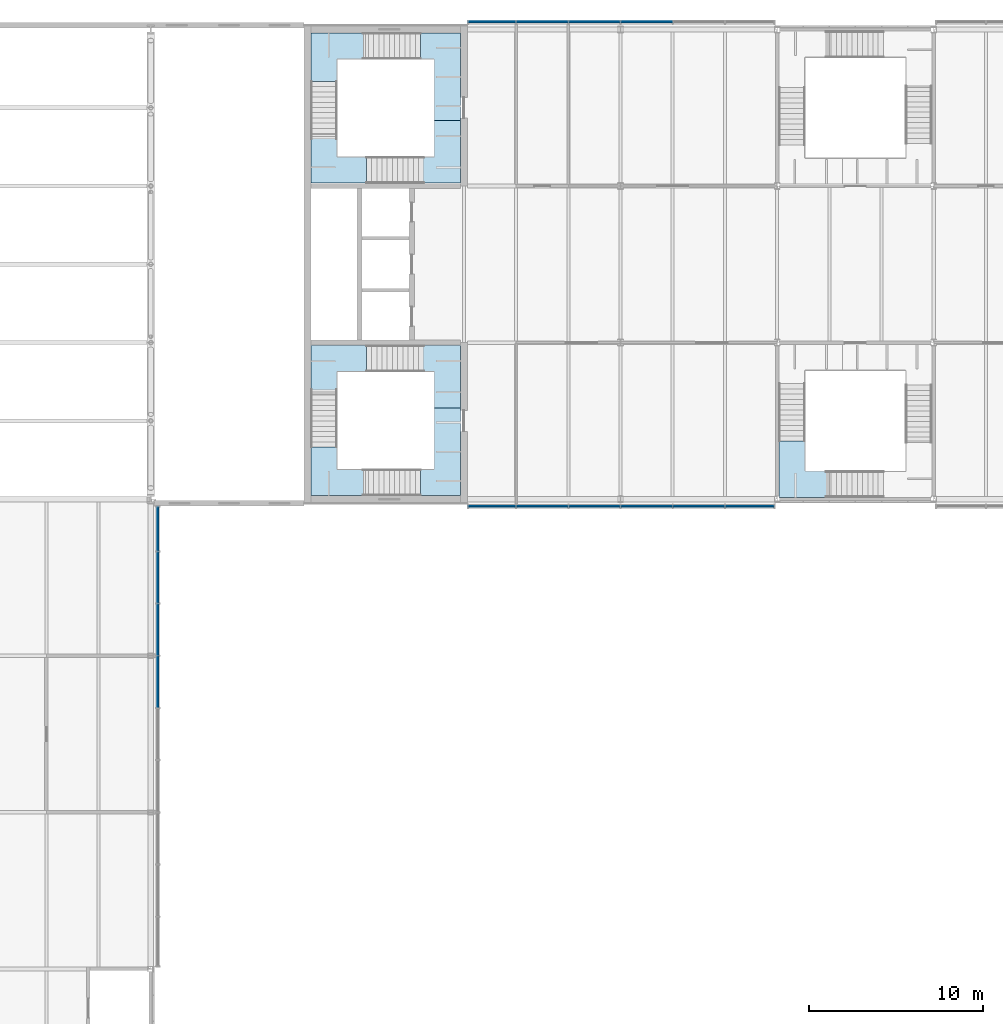
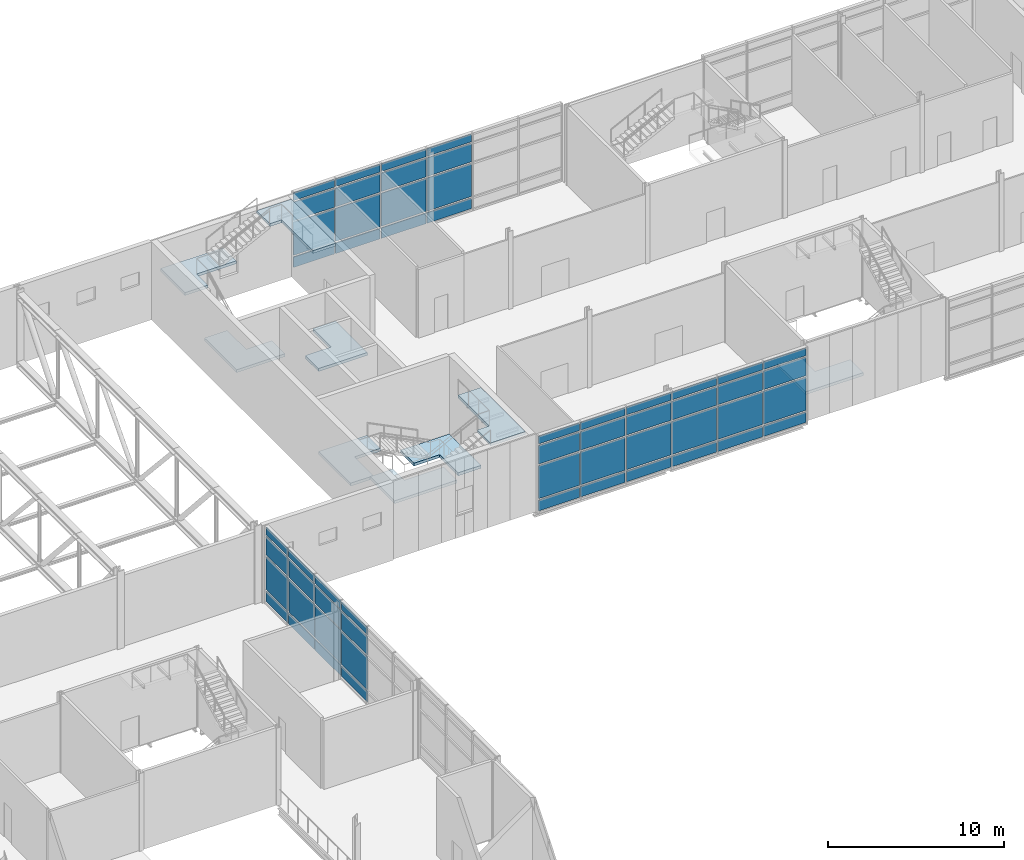
# One storey, part 33 of 53: 56 plates, 9 slabs, 6 elements without a shape of their own.
"""IFC4 building model written with IfcOpenShell, lengths in metres."""

from ifc_helpers import new_model, si_unit, direction, frame, origin, origin_2d, place, context, subcontext, project, spatial, polyline, rectangle, outline, extrude, material, layer, layer_set, type_object, element, aggregate, save


model = new_model("IFC4")

# Units and contexts
model_context = context("Model", 3, precision=1e-05, world=origin(), true_north=direction((0.0, 1.0)))
body_context = subcontext(model_context, "Body", "Model", "MODEL_VIEW")
ifc_project = project(units=[si_unit("LENGTHUNIT", "METRE"), si_unit("AREAUNIT", "SQUARE_METRE"), si_unit("VOLUMEUNIT", "CUBIC_METRE"), si_unit("PLANEANGLEUNIT", "RADIAN"), si_unit("MASSUNIT", "GRAM", prefix="KILO")], contexts=[model_context])

# Site, building, storey
site_placement = place(None, origin())
site = spatial("IfcSite", under=ifc_project, at=site_placement, CompositionType="ELEMENT")
building_placement = place(site_placement, origin())
building = spatial("IfcBuilding", under=site, at=building_placement, Name="Azimuth Sports and Learning Centre", CompositionType="ELEMENT")
storey_placement = place(building_placement, frame((0.0, 0.0, 10.800048828125)))
storey = spatial("IfcBuildingStorey", under=building, at=storey_placement, Name="L02", CompositionType="ELEMENT", Elevation=10.800048828125)

# Stair, slabs
ifc_material_1 = material(Name="Concrete C32/40", Category="concrete")
stair_type_1 = type_object("IfcStairType", Name="Square-well stair core 5400 storey", PredefinedType="THREE_QUARTER_TURN_STAIR", material=ifc_material_1)
stair_1_placement = place(storey_placement, origin())
stair_1 = element("IfcStair", 1, at=stair_1_placement, inside=storey, type_object=stair_type_1, Name="Stair E1 L02-L03", PredefinedType="THREE_QUARTER_TURN_STAIR")
ifc_material_2 = material(Name="Concrete C32/40", Category="concrete")
ifc_layer_1 = layer(ifc_material_2, 0.199951171875)
ifc_layer_set_1 = layer_set([ifc_layer_1], Name="Concrete C32/40")
slab_type = type_object("IfcSlabType", Name="Concrete stair landing", PredefinedType="LANDING", material=ifc_layer_set_1)
slab_1_placement = place(storey_placement, frame((0.0, 0.0, -0.199951171875)))
slab_1 = element("IfcSlab", 2, at=slab_1_placement, type_object=slab_type, Name="Stair E1 L02 landing 1", PredefinedType="LANDING", context=body_context, shape_type="SweptSolid", body=[
    extrude(outline(polyline([(113.590087890625, 97.340087890625), (115.2900390625, 97.340087890625), (115.2900390625, 95.25), (116.7900390625, 95.25), (116.7900390625, 98.840087890625), (113.590087890625, 98.840087890625), (113.590087890625, 97.340087890625)])), origin(), (0.0, 0.0, 1.0), 0.199951171875),
])
slab_2_placement = place(storey_placement, frame((0.0, 0.0, 1.599853515625)))
slab_2 = element("IfcSlab", 3, at=slab_2_placement, type_object=slab_type, Name="Stair E1 L02 landing 2", PredefinedType="LANDING", context=body_context, shape_type="SweptSolid", body=[
    extrude(outline(polyline([(109.7099609375, 97.340087890625), (111.390625, 97.340087890625), (111.390625, 98.840087890625), (108.2099609375, 98.840087890625), (108.2099609375, 95.18994140625), (109.7099609375, 95.18994140625), (109.7099609375, 97.340087890625)])), origin(), (0.0, 0.0, 1.0), 0.2001953125),
])
slab_3_placement = place(storey_placement, frame((0.0, 0.0, 3.39990234375)))
slab_3 = element("IfcSlab", 4, at=slab_3_placement, type_object=slab_type, Name="Stair E1 L02 landing 3", PredefinedType="LANDING", context=body_context, shape_type="SweptSolid", body=[
    extrude(outline(polyline([(109.7099609375, 91.7099609375), (109.7099609375, 92.99072265625), (108.2099609375, 92.99072265625), (108.2099609375, 90.2099609375), (112.31005859375, 90.2099609375), (112.31005859375, 91.7099609375), (109.7099609375, 91.7099609375)])), origin(), (0.0, 0.0, 1.0), 0.199951171875),
])
slab_4_placement = place(storey_placement, frame((0.0, 0.0, 5.199951171875)))
slab_4 = element("IfcSlab", 5, at=slab_4_placement, type_object=slab_type, Name="Stair E1 L02 landing 4", PredefinedType="LANDING", context=body_context, shape_type="SweptSolid", body=[
    extrude(outline(polyline([(115.2900390625, 91.7099609375), (114.50927734375, 91.7099609375), (114.50927734375, 90.2099609375), (116.7900390625, 90.2099609375), (116.7900390625, 95.25), (115.2900390625, 95.25), (115.2900390625, 91.7099609375)])), origin(), (0.0, 0.0, 1.0), 0.199951171875),
])
aggregate(stair_1, [slab_1, slab_2, slab_3, slab_4])

stair_2_placement = place(storey_placement, origin())
stair_2 = element("IfcStair", 6, at=stair_2_placement, inside=storey, type_object=stair_type_1, Name="Stair E2 L02-L03", PredefinedType="THREE_QUARTER_TURN_STAIR")
slab_5_placement = place(storey_placement, frame((0.0, 0.0, -0.199951171875)))
slab_5 = element("IfcSlab", 7, at=slab_5_placement, type_object=slab_type, Name="Stair E2 L02 landing 1", PredefinedType="LANDING", context=body_context, shape_type="SweptSolid", body=[
    extrude(outline(polyline([(116.7900390625, 108.159912109375), (116.7900390625, 111.75), (115.2900390625, 111.75), (115.2900390625, 109.659912109375), (113.590087890625, 109.659912109375), (113.590087890625, 108.159912109375), (116.7900390625, 108.159912109375)])), origin(), (0.0, 0.0, 1.0), 0.199951171875),
])
slab_6_placement = place(storey_placement, frame((0.0, 0.0, 1.599853515625)))
slab_6 = element("IfcSlab", 8, at=slab_6_placement, type_object=slab_type, Name="Stair E2 L02 landing 2", PredefinedType="LANDING", context=body_context, shape_type="SweptSolid", body=[
    extrude(outline(polyline([(109.7099609375, 109.659912109375), (109.7099609375, 111.81005859375), (108.2099609375, 111.81005859375), (108.2099609375, 108.159912109375), (111.390625, 108.159912109375), (111.390625, 109.659912109375), (109.7099609375, 109.659912109375)])), origin(), (0.0, 0.0, 1.0), 0.2001953125),
])
slab_7_placement = place(storey_placement, frame((0.0, 0.0, 3.39990234375)))
slab_7 = element("IfcSlab", 9, at=slab_7_placement, type_object=slab_type, Name="Stair E2 L02 landing 3", PredefinedType="LANDING", context=body_context, shape_type="SweptSolid", body=[
    extrude(outline(polyline([(109.7099609375, 115.2900390625), (112.31005859375, 115.2900390625), (112.31005859375, 116.7900390625), (108.2099609375, 116.7900390625), (108.2099609375, 114.00927734375), (109.7099609375, 114.00927734375), (109.7099609375, 115.2900390625)])), origin(), (0.0, 0.0, 1.0), 0.199951171875),
])
slab_8_placement = place(storey_placement, frame((0.0, 0.0, 5.199951171875)))
slab_8 = element("IfcSlab", 10, at=slab_8_placement, type_object=slab_type, Name="Stair E2 L02 landing 4", PredefinedType="LANDING", context=body_context, shape_type="SweptSolid", body=[
    extrude(outline(polyline([(115.2900390625, 115.2900390625), (115.2900390625, 111.75), (116.7900390625, 111.75), (116.7900390625, 116.7900390625), (114.50927734375, 116.7900390625), (114.50927734375, 115.2900390625), (115.2900390625, 115.2900390625)])), origin(), (0.0, 0.0, 1.0), 0.199951171875),
])
aggregate(stair_2, [slab_5, slab_6, slab_7, slab_8])

# Stair, slab
ifc_material_3 = material(Name="Concrete C32/40", Category="concrete")
stair_type_2 = type_object("IfcStairType", Name="Square-well stair mid-wing cell 5400 storey", PredefinedType="THREE_QUARTER_TURN_STAIR", material=ifc_material_3)
stair_3_placement = place(storey_placement, origin())
stair_3 = element("IfcStair", 11, at=stair_3_placement, inside=storey, type_object=stair_type_2, Name="Stair EM1 L02-L03", PredefinedType="THREE_QUARTER_TURN_STAIR")
slab_9_placement = place(storey_placement, frame((0.0, 0.0, 1.599853515625)))
slab_9 = element("IfcSlab", 12, at=slab_9_placement, type_object=slab_type, Name="Stair EM1 L02 landing 2", PredefinedType="LANDING", context=body_context, shape_type="SweptSolid", body=[
    extrude(outline(polyline([(136.610107421875, 91.610107421875), (136.610107421875, 93.3408203125), (135.110107421875, 93.3408203125), (135.110107421875, 90.110107421875), (138.909912109375, 90.110107421875), (138.909912109375, 91.610107421875), (136.610107421875, 91.610107421875)])), origin(), (0.0, 0.0, 1.0), 0.2001953125),
])
aggregate(stair_3, [slab_9])

# Curtain wall, plates
ifc_material_4 = material(Name="Aluminium and glass", Category="aluminium")
curtain_wall_type_1 = type_object("IfcCurtainWallType", Name="Curtain wall podium stem 240", PredefinedType="NOTDEFINED", material=ifc_material_4)
curtain_wall_1_placement = place(storey_placement, origin())
curtain_wall_1 = element("IfcCurtainWall", 13, at=curtain_wall_1_placement, inside=storey, type_object=curtain_wall_type_1, Name="Curtain wall CW02-008", PredefinedType="NOTDEFINED")
ifc_material_5 = material(Name="Insulated aluminium panel", Category="aluminium")
ifc_layer_2 = layer(ifc_material_5, 0.06005859375)
ifc_layer_set_2 = layer_set([ifc_layer_2], Name="Insulated aluminium panel")
plate_type_1 = type_object("IfcPlateType", Name="Spandrel panel 60 mm", PredefinedType="CURTAIN_PANEL", material=ifc_layer_set_2)
plate_1_placement = place(storey_placement, frame((99.419921875, 79.5, 0.1201171875), z_axis=(0.0, 0.0, 1.0), x_axis=(0.0, 1.0, 0.0)))
plate_1 = element("IfcPlate", 14, at=plate_1_placement, type_object=plate_type_1, Name="CW02-008 panel 6.1", PredefinedType="CURTAIN_PANEL", context=body_context, shape_type="SweptSolid", body=[
    extrude(rectangle(XDim=2.919921875, YDim=0.06005859375, at=origin_2d()), origin(), (0.0, 0.0, 1.0), 0.719970703125),
])
plate_2_placement = place(storey_placement, frame((99.419921875, 79.5, 4.760009765625), z_axis=(0.0, 0.0, 1.0), x_axis=(0.0, 1.0, 0.0)))
plate_2 = element("IfcPlate", 15, at=plate_2_placement, type_object=plate_type_1, Name="CW02-008 panel 6.4", PredefinedType="CURTAIN_PANEL", context=body_context, shape_type="SweptSolid", body=[
    extrude(rectangle(XDim=2.919921875, YDim=0.06005859375, at=origin_2d()), origin(), (0.0, 0.0, 1.0), 0.52001953125),
])
plate_3_placement = place(storey_placement, frame((99.419921875, 82.5, 0.1201171875), z_axis=(0.0, 0.0, 1.0), x_axis=(0.0, 1.0, 0.0)))
plate_3 = element("IfcPlate", 16, at=plate_3_placement, type_object=plate_type_1, Name="CW02-008 panel 7.1", PredefinedType="CURTAIN_PANEL", context=body_context, shape_type="SweptSolid", body=[
    extrude(rectangle(XDim=2.919921875, YDim=0.06005859375, at=origin_2d()), origin(), (0.0, 0.0, 1.0), 0.719970703125),
])
plate_4_placement = place(storey_placement, frame((99.419921875, 82.5, 4.760009765625), z_axis=(0.0, 0.0, 1.0), x_axis=(0.0, 1.0, 0.0)))
plate_4 = element("IfcPlate", 17, at=plate_4_placement, type_object=plate_type_1, Name="CW02-008 panel 7.4", PredefinedType="CURTAIN_PANEL", context=body_context, shape_type="SweptSolid", body=[
    extrude(rectangle(XDim=2.919921875, YDim=0.06005859375, at=origin_2d()), origin(), (0.0, 0.0, 1.0), 0.52001953125),
])
plate_5_placement = place(storey_placement, frame((99.419921875, 85.5, 0.1201171875), z_axis=(0.0, 0.0, 1.0), x_axis=(0.0, 1.0, 0.0)))
plate_5 = element("IfcPlate", 18, at=plate_5_placement, type_object=plate_type_1, Name="CW02-008 panel 8.1", PredefinedType="CURTAIN_PANEL", context=body_context, shape_type="SweptSolid", body=[
    extrude(rectangle(XDim=2.919921875, YDim=0.06005859375, at=origin_2d()), origin(), (0.0, 0.0, 1.0), 0.719970703125),
])
plate_6_placement = place(storey_placement, frame((99.419921875, 85.5, 4.760009765625), z_axis=(0.0, 0.0, 1.0), x_axis=(0.0, 1.0, 0.0)))
plate_6 = element("IfcPlate", 19, at=plate_6_placement, type_object=plate_type_1, Name="CW02-008 panel 8.4", PredefinedType="CURTAIN_PANEL", context=body_context, shape_type="SweptSolid", body=[
    extrude(rectangle(XDim=2.919921875, YDim=0.06005859375, at=origin_2d()), origin(), (0.0, 0.0, 1.0), 0.52001953125),
])
plate_7_placement = place(storey_placement, frame((99.419921875, 88.284912109375, 0.1201171875), z_axis=(0.0, 0.0, 1.0), x_axis=(0.0, 1.0, 0.0)))
plate_7 = element("IfcPlate", 20, at=plate_7_placement, type_object=plate_type_1, Name="CW02-008 panel 9.1", PredefinedType="CURTAIN_PANEL", context=body_context, shape_type="SweptSolid", body=[
    extrude(rectangle(XDim=2.489990234375, YDim=0.06005859375, at=origin_2d()), origin(), (0.0, 0.0, 1.0), 0.719970703125),
])
plate_8_placement = place(storey_placement, frame((99.419921875, 88.284912109375, 4.760009765625), z_axis=(0.0, 0.0, 1.0), x_axis=(0.0, 1.0, 0.0)))
plate_8 = element("IfcPlate", 21, at=plate_8_placement, type_object=plate_type_1, Name="CW02-008 panel 9.4", PredefinedType="CURTAIN_PANEL", context=body_context, shape_type="SweptSolid", body=[
    extrude(rectangle(XDim=2.489990234375, YDim=0.06005859375, at=origin_2d()), origin(), (0.0, 0.0, 1.0), 0.52001953125),
])

ifc_material_6 = material(Name="Aluminium and glass", Category="aluminium")
curtain_wall_type_2 = type_object("IfcCurtainWallType", Name="Curtain wall podium wing 240", PredefinedType="NOTDEFINED", material=ifc_material_6)
curtain_wall_2_placement = place(storey_placement, origin())
curtain_wall_2 = element("IfcCurtainWall", 22, at=curtain_wall_2_placement, inside=storey, type_object=curtain_wall_type_2, Name="Curtain wall CW02-009", PredefinedType="NOTDEFINED")
plate_9_placement = place(storey_placement, frame((118.6201171875, 89.580078125, 0.1201171875), z_axis=(0.0, 0.0, 1.0), x_axis=(1.0, 0.0, 0.0)))
plate_9 = element("IfcPlate", 23, at=plate_9_placement, type_object=plate_type_1, Name="CW02-009 panel 1.1", PredefinedType="CURTAIN_PANEL", context=body_context, shape_type="SweptSolid", body=[
    extrude(rectangle(XDim=2.679931640625, YDim=0.06005859375, at=origin_2d()), origin(), (0.0, 0.0, 1.0), 0.719970703125),
])
plate_10_placement = place(storey_placement, frame((118.6201171875, 89.580078125, 4.760009765625), z_axis=(0.0, 0.0, 1.0), x_axis=(1.0, 0.0, 0.0)))
plate_10 = element("IfcPlate", 24, at=plate_10_placement, type_object=plate_type_1, Name="CW02-009 panel 1.4", PredefinedType="CURTAIN_PANEL", context=body_context, shape_type="SweptSolid", body=[
    extrude(rectangle(XDim=2.679931640625, YDim=0.06005859375, at=origin_2d()), origin(), (0.0, 0.0, 1.0), 0.52001953125),
])
plate_11_placement = place(storey_placement, frame((121.5, 89.580078125, 0.1201171875), z_axis=(0.0, 0.0, 1.0), x_axis=(1.0, 0.0, 0.0)))
plate_11 = element("IfcPlate", 25, at=plate_11_placement, type_object=plate_type_1, Name="CW02-009 panel 2.1", PredefinedType="CURTAIN_PANEL", context=body_context, shape_type="SweptSolid", body=[
    extrude(rectangle(XDim=2.919921875, YDim=0.06005859375, at=origin_2d()), origin(), (0.0, 0.0, 1.0), 0.719970703125),
])
plate_12_placement = place(storey_placement, frame((121.5, 89.580078125, 4.760009765625), z_axis=(0.0, 0.0, 1.0), x_axis=(1.0, 0.0, 0.0)))
plate_12 = element("IfcPlate", 26, at=plate_12_placement, type_object=plate_type_1, Name="CW02-009 panel 2.4", PredefinedType="CURTAIN_PANEL", context=body_context, shape_type="SweptSolid", body=[
    extrude(rectangle(XDim=2.919921875, YDim=0.06005859375, at=origin_2d()), origin(), (0.0, 0.0, 1.0), 0.52001953125),
])
plate_13_placement = place(storey_placement, frame((124.5, 89.580078125, 0.1201171875), z_axis=(0.0, 0.0, 1.0), x_axis=(1.0, 0.0, 0.0)))
plate_13 = element("IfcPlate", 27, at=plate_13_placement, type_object=plate_type_1, Name="CW02-009 panel 3.1", PredefinedType="CURTAIN_PANEL", context=body_context, shape_type="SweptSolid", body=[
    extrude(rectangle(XDim=2.919921875, YDim=0.06005859375, at=origin_2d()), origin(), (0.0, 0.0, 1.0), 0.719970703125),
])
plate_14_placement = place(storey_placement, frame((124.5, 89.580078125, 4.760009765625), z_axis=(0.0, 0.0, 1.0), x_axis=(1.0, 0.0, 0.0)))
plate_14 = element("IfcPlate", 28, at=plate_14_placement, type_object=plate_type_1, Name="CW02-009 panel 3.4", PredefinedType="CURTAIN_PANEL", context=body_context, shape_type="SweptSolid", body=[
    extrude(rectangle(XDim=2.919921875, YDim=0.06005859375, at=origin_2d()), origin(), (0.0, 0.0, 1.0), 0.52001953125),
])
plate_15_placement = place(storey_placement, frame((127.5, 89.580078125, 0.1201171875), z_axis=(0.0, 0.0, 1.0), x_axis=(1.0, 0.0, 0.0)))
plate_15 = element("IfcPlate", 29, at=plate_15_placement, type_object=plate_type_1, Name="CW02-009 panel 4.1", PredefinedType="CURTAIN_PANEL", context=body_context, shape_type="SweptSolid", body=[
    extrude(rectangle(XDim=2.919921875, YDim=0.06005859375, at=origin_2d()), origin(), (0.0, 0.0, 1.0), 0.719970703125),
])
plate_16_placement = place(storey_placement, frame((127.5, 89.580078125, 4.760009765625), z_axis=(0.0, 0.0, 1.0), x_axis=(1.0, 0.0, 0.0)))
plate_16 = element("IfcPlate", 30, at=plate_16_placement, type_object=plate_type_1, Name="CW02-009 panel 4.4", PredefinedType="CURTAIN_PANEL", context=body_context, shape_type="SweptSolid", body=[
    extrude(rectangle(XDim=2.919921875, YDim=0.06005859375, at=origin_2d()), origin(), (0.0, 0.0, 1.0), 0.52001953125),
])
plate_17_placement = place(storey_placement, frame((130.5, 89.580078125, 0.1201171875), z_axis=(0.0, 0.0, 1.0), x_axis=(1.0, 0.0, 0.0)))
plate_17 = element("IfcPlate", 31, at=plate_17_placement, type_object=plate_type_1, Name="CW02-009 panel 5.1", PredefinedType="CURTAIN_PANEL", context=body_context, shape_type="SweptSolid", body=[
    extrude(rectangle(XDim=2.919921875, YDim=0.06005859375, at=origin_2d()), origin(), (0.0, 0.0, 1.0), 0.719970703125),
])
plate_18_placement = place(storey_placement, frame((130.5, 89.580078125, 4.760009765625), z_axis=(0.0, 0.0, 1.0), x_axis=(1.0, 0.0, 0.0)))
plate_18 = element("IfcPlate", 32, at=plate_18_placement, type_object=plate_type_1, Name="CW02-009 panel 5.4", PredefinedType="CURTAIN_PANEL", context=body_context, shape_type="SweptSolid", body=[
    extrude(rectangle(XDim=2.919921875, YDim=0.06005859375, at=origin_2d()), origin(), (0.0, 0.0, 1.0), 0.52001953125),
])
plate_19_placement = place(storey_placement, frame((133.429931640625, 89.580078125, 0.1201171875), z_axis=(0.0, 0.0, 1.0), x_axis=(1.0, 0.0, 0.0)))
plate_19 = element("IfcPlate", 33, at=plate_19_placement, type_object=plate_type_1, Name="CW02-009 panel 6.1", PredefinedType="CURTAIN_PANEL", context=body_context, shape_type="SweptSolid", body=[
    extrude(rectangle(XDim=2.780029296875, YDim=0.06005859375, at=origin_2d()), origin(), (0.0, 0.0, 1.0), 0.719970703125),
])
plate_20_placement = place(storey_placement, frame((133.429931640625, 89.580078125, 4.760009765625), z_axis=(0.0, 0.0, 1.0), x_axis=(1.0, 0.0, 0.0)))
plate_20 = element("IfcPlate", 34, at=plate_20_placement, type_object=plate_type_1, Name="CW02-009 panel 6.4", PredefinedType="CURTAIN_PANEL", context=body_context, shape_type="SweptSolid", body=[
    extrude(rectangle(XDim=2.780029296875, YDim=0.06005859375, at=origin_2d()), origin(), (0.0, 0.0, 1.0), 0.52001953125),
])

curtain_wall_3_placement = place(storey_placement, origin())
curtain_wall_3 = element("IfcCurtainWall", 35, at=curtain_wall_3_placement, inside=storey, type_object=curtain_wall_type_2, Name="Curtain wall CW02-012", PredefinedType="NOTDEFINED")
plate_21_placement = place(storey_placement, frame((127.5, 117.419921875, 0.1201171875), z_axis=(0.0, 0.0, 1.0), x_axis=(-1.0, 0.0, 0.0)))
plate_21 = element("IfcPlate", 36, at=plate_21_placement, type_object=plate_type_1, Name="CW02-012 panel 3.1", PredefinedType="CURTAIN_PANEL", context=body_context, shape_type="SweptSolid", body=[
    extrude(rectangle(XDim=2.919921875, YDim=0.06005859375, at=origin_2d()), origin(), (0.0, 0.0, 1.0), 0.719970703125),
])
plate_22_placement = place(storey_placement, frame((127.5, 117.419921875, 4.760009765625), z_axis=(0.0, 0.0, 1.0), x_axis=(-1.0, 0.0, 0.0)))
plate_22 = element("IfcPlate", 37, at=plate_22_placement, type_object=plate_type_1, Name="CW02-012 panel 3.4", PredefinedType="CURTAIN_PANEL", context=body_context, shape_type="SweptSolid", body=[
    extrude(rectangle(XDim=2.919921875, YDim=0.06005859375, at=origin_2d()), origin(), (0.0, 0.0, 1.0), 0.52001953125),
])
plate_23_placement = place(storey_placement, frame((124.5, 117.419921875, 0.1201171875), z_axis=(0.0, 0.0, 1.0), x_axis=(-1.0, 0.0, 0.0)))
plate_23 = element("IfcPlate", 38, at=plate_23_placement, type_object=plate_type_1, Name="CW02-012 panel 4.1", PredefinedType="CURTAIN_PANEL", context=body_context, shape_type="SweptSolid", body=[
    extrude(rectangle(XDim=2.919921875, YDim=0.06005859375, at=origin_2d()), origin(), (0.0, 0.0, 1.0), 0.719970703125),
])
plate_24_placement = place(storey_placement, frame((124.5, 117.419921875, 4.760009765625), z_axis=(0.0, 0.0, 1.0), x_axis=(-1.0, 0.0, 0.0)))
plate_24 = element("IfcPlate", 39, at=plate_24_placement, type_object=plate_type_1, Name="CW02-012 panel 4.4", PredefinedType="CURTAIN_PANEL", context=body_context, shape_type="SweptSolid", body=[
    extrude(rectangle(XDim=2.919921875, YDim=0.06005859375, at=origin_2d()), origin(), (0.0, 0.0, 1.0), 0.52001953125),
])
plate_25_placement = place(storey_placement, frame((121.5, 117.419921875, 0.1201171875), z_axis=(0.0, 0.0, 1.0), x_axis=(-1.0, 0.0, 0.0)))
plate_25 = element("IfcPlate", 40, at=plate_25_placement, type_object=plate_type_1, Name="CW02-012 panel 5.1", PredefinedType="CURTAIN_PANEL", context=body_context, shape_type="SweptSolid", body=[
    extrude(rectangle(XDim=2.919921875, YDim=0.06005859375, at=origin_2d()), origin(), (0.0, 0.0, 1.0), 0.719970703125),
])
plate_26_placement = place(storey_placement, frame((121.5, 117.419921875, 4.760009765625), z_axis=(0.0, 0.0, 1.0), x_axis=(-1.0, 0.0, 0.0)))
plate_26 = element("IfcPlate", 41, at=plate_26_placement, type_object=plate_type_1, Name="CW02-012 panel 5.4", PredefinedType="CURTAIN_PANEL", context=body_context, shape_type="SweptSolid", body=[
    extrude(rectangle(XDim=2.919921875, YDim=0.06005859375, at=origin_2d()), origin(), (0.0, 0.0, 1.0), 0.52001953125),
])
plate_27_placement = place(storey_placement, frame((118.6201171875, 117.419921875, 0.1201171875), z_axis=(0.0, 0.0, 1.0), x_axis=(-1.0, 0.0, 0.0)))
plate_27 = element("IfcPlate", 42, at=plate_27_placement, type_object=plate_type_1, Name="CW02-012 panel 6.1", PredefinedType="CURTAIN_PANEL", context=body_context, shape_type="SweptSolid", body=[
    extrude(rectangle(XDim=2.679931640625, YDim=0.06005859375, at=origin_2d()), origin(), (0.0, 0.0, 1.0), 0.719970703125),
])
plate_28_placement = place(storey_placement, frame((118.6201171875, 117.419921875, 4.760009765625), z_axis=(0.0, 0.0, 1.0), x_axis=(-1.0, 0.0, 0.0)))
plate_28 = element("IfcPlate", 43, at=plate_28_placement, type_object=plate_type_1, Name="CW02-012 panel 6.4", PredefinedType="CURTAIN_PANEL", context=body_context, shape_type="SweptSolid", body=[
    extrude(rectangle(XDim=2.679931640625, YDim=0.06005859375, at=origin_2d()), origin(), (0.0, 0.0, 1.0), 0.52001953125),
])

# Plate
ifc_material_7 = material(Name="Glass", Category="glass")
ifc_layer_3 = layer(ifc_material_7, 0.0439453125)
ifc_layer_set_3 = layer_set([ifc_layer_3], Name="Glass")
plate_type_2 = type_object("IfcPlateType", Name="Vision glass 44 mm", PredefinedType="CURTAIN_PANEL", material=ifc_layer_set_3)
plate_29_placement = place(storey_placement, frame((99.419921875, 79.5, 0.9599609375), z_axis=(0.0, 0.0, 1.0), x_axis=(0.0, 1.0, 0.0)))
plate_29 = element("IfcPlate", 44, at=plate_29_placement, type_object=plate_type_2, Name="CW02-008 panel 6.2", PredefinedType="CURTAIN_PANEL", context=body_context, shape_type="SweptSolid", body=[
    extrude(rectangle(XDim=2.919921875, YDim=0.0439453125, at=origin_2d()), origin(), (0.0, 0.0, 1.0), 2.280029296875),
])

plate_30_placement = place(storey_placement, frame((99.419921875, 79.5, 3.35986328125), z_axis=(0.0, 0.0, 1.0), x_axis=(0.0, 1.0, 0.0)))
plate_30 = element("IfcPlate", 45, at=plate_30_placement, type_object=plate_type_2, Name="CW02-008 panel 6.3", PredefinedType="CURTAIN_PANEL", context=body_context, shape_type="SweptSolid", body=[
    extrude(rectangle(XDim=2.919921875, YDim=0.0439453125, at=origin_2d()), origin(), (0.0, 0.0, 1.0), 1.280029296875),
])

plate_31_placement = place(storey_placement, frame((99.419921875, 82.5, 0.9599609375), z_axis=(0.0, 0.0, 1.0), x_axis=(0.0, 1.0, 0.0)))
plate_31 = element("IfcPlate", 46, at=plate_31_placement, type_object=plate_type_2, Name="CW02-008 panel 7.2", PredefinedType="CURTAIN_PANEL", context=body_context, shape_type="SweptSolid", body=[
    extrude(rectangle(XDim=2.919921875, YDim=0.0439453125, at=origin_2d()), origin(), (0.0, 0.0, 1.0), 2.280029296875),
])

plate_32_placement = place(storey_placement, frame((99.419921875, 82.5, 3.35986328125), z_axis=(0.0, 0.0, 1.0), x_axis=(0.0, 1.0, 0.0)))
plate_32 = element("IfcPlate", 47, at=plate_32_placement, type_object=plate_type_2, Name="CW02-008 panel 7.3", PredefinedType="CURTAIN_PANEL", context=body_context, shape_type="SweptSolid", body=[
    extrude(rectangle(XDim=2.919921875, YDim=0.0439453125, at=origin_2d()), origin(), (0.0, 0.0, 1.0), 1.280029296875),
])

plate_33_placement = place(storey_placement, frame((99.419921875, 85.5, 0.9599609375), z_axis=(0.0, 0.0, 1.0), x_axis=(0.0, 1.0, 0.0)))
plate_33 = element("IfcPlate", 48, at=plate_33_placement, type_object=plate_type_2, Name="CW02-008 panel 8.2", PredefinedType="CURTAIN_PANEL", context=body_context, shape_type="SweptSolid", body=[
    extrude(rectangle(XDim=2.919921875, YDim=0.0439453125, at=origin_2d()), origin(), (0.0, 0.0, 1.0), 2.280029296875),
])

plate_34_placement = place(storey_placement, frame((99.419921875, 85.5, 3.35986328125), z_axis=(0.0, 0.0, 1.0), x_axis=(0.0, 1.0, 0.0)))
plate_34 = element("IfcPlate", 49, at=plate_34_placement, type_object=plate_type_2, Name="CW02-008 panel 8.3", PredefinedType="CURTAIN_PANEL", context=body_context, shape_type="SweptSolid", body=[
    extrude(rectangle(XDim=2.919921875, YDim=0.0439453125, at=origin_2d()), origin(), (0.0, 0.0, 1.0), 1.280029296875),
])

plate_35_placement = place(storey_placement, frame((99.419921875, 88.284912109375, 0.9599609375), z_axis=(0.0, 0.0, 1.0), x_axis=(0.0, 1.0, 0.0)))
plate_35 = element("IfcPlate", 50, at=plate_35_placement, type_object=plate_type_2, Name="CW02-008 panel 9.2", PredefinedType="CURTAIN_PANEL", context=body_context, shape_type="SweptSolid", body=[
    extrude(rectangle(XDim=2.489990234375, YDim=0.0439453125, at=origin_2d()), origin(), (0.0, 0.0, 1.0), 2.280029296875),
])

plate_36_placement = place(storey_placement, frame((99.419921875, 88.284912109375, 3.35986328125), z_axis=(0.0, 0.0, 1.0), x_axis=(0.0, 1.0, 0.0)))
plate_36 = element("IfcPlate", 51, at=plate_36_placement, type_object=plate_type_2, Name="CW02-008 panel 9.3", PredefinedType="CURTAIN_PANEL", context=body_context, shape_type="SweptSolid", body=[
    extrude(rectangle(XDim=2.489990234375, YDim=0.0439453125, at=origin_2d()), origin(), (0.0, 0.0, 1.0), 1.280029296875),
])

aggregate(curtain_wall_1, [plate_1, plate_29, plate_30, plate_2, plate_3, plate_31, plate_32, plate_4, plate_5, plate_33, plate_34, plate_6, plate_7, plate_35, plate_36, plate_8])

plate_37_placement = place(storey_placement, frame((118.6201171875, 89.580078125, 0.9599609375), z_axis=(0.0, 0.0, 1.0), x_axis=(1.0, 0.0, 0.0)))
plate_37 = element("IfcPlate", 52, at=plate_37_placement, type_object=plate_type_2, Name="CW02-009 panel 1.2", PredefinedType="CURTAIN_PANEL", context=body_context, shape_type="SweptSolid", body=[
    extrude(rectangle(XDim=2.679931640625, YDim=0.0439453125, at=origin_2d()), origin(), (0.0, 0.0, 1.0), 2.280029296875),
])

plate_38_placement = place(storey_placement, frame((118.6201171875, 89.580078125, 3.35986328125), z_axis=(0.0, 0.0, 1.0), x_axis=(1.0, 0.0, 0.0)))
plate_38 = element("IfcPlate", 53, at=plate_38_placement, type_object=plate_type_2, Name="CW02-009 panel 1.3", PredefinedType="CURTAIN_PANEL", context=body_context, shape_type="SweptSolid", body=[
    extrude(rectangle(XDim=2.679931640625, YDim=0.0439453125, at=origin_2d()), origin(), (0.0, 0.0, 1.0), 1.280029296875),
])

plate_39_placement = place(storey_placement, frame((121.5, 89.580078125, 0.9599609375), z_axis=(0.0, 0.0, 1.0), x_axis=(1.0, 0.0, 0.0)))
plate_39 = element("IfcPlate", 54, at=plate_39_placement, type_object=plate_type_2, Name="CW02-009 panel 2.2", PredefinedType="CURTAIN_PANEL", context=body_context, shape_type="SweptSolid", body=[
    extrude(rectangle(XDim=2.919921875, YDim=0.0439453125, at=origin_2d()), origin(), (0.0, 0.0, 1.0), 2.280029296875),
])

plate_40_placement = place(storey_placement, frame((121.5, 89.580078125, 3.35986328125), z_axis=(0.0, 0.0, 1.0), x_axis=(1.0, 0.0, 0.0)))
plate_40 = element("IfcPlate", 55, at=plate_40_placement, type_object=plate_type_2, Name="CW02-009 panel 2.3", PredefinedType="CURTAIN_PANEL", context=body_context, shape_type="SweptSolid", body=[
    extrude(rectangle(XDim=2.919921875, YDim=0.0439453125, at=origin_2d()), origin(), (0.0, 0.0, 1.0), 1.280029296875),
])

plate_41_placement = place(storey_placement, frame((124.5, 89.580078125, 0.9599609375), z_axis=(0.0, 0.0, 1.0), x_axis=(1.0, 0.0, 0.0)))
plate_41 = element("IfcPlate", 56, at=plate_41_placement, type_object=plate_type_2, Name="CW02-009 panel 3.2", PredefinedType="CURTAIN_PANEL", context=body_context, shape_type="SweptSolid", body=[
    extrude(rectangle(XDim=2.919921875, YDim=0.0439453125, at=origin_2d()), origin(), (0.0, 0.0, 1.0), 2.280029296875),
])

plate_42_placement = place(storey_placement, frame((124.5, 89.580078125, 3.35986328125), z_axis=(0.0, 0.0, 1.0), x_axis=(1.0, 0.0, 0.0)))
plate_42 = element("IfcPlate", 57, at=plate_42_placement, type_object=plate_type_2, Name="CW02-009 panel 3.3", PredefinedType="CURTAIN_PANEL", context=body_context, shape_type="SweptSolid", body=[
    extrude(rectangle(XDim=2.919921875, YDim=0.0439453125, at=origin_2d()), origin(), (0.0, 0.0, 1.0), 1.280029296875),
])

plate_43_placement = place(storey_placement, frame((127.5, 89.580078125, 0.9599609375), z_axis=(0.0, 0.0, 1.0), x_axis=(1.0, 0.0, 0.0)))
plate_43 = element("IfcPlate", 58, at=plate_43_placement, type_object=plate_type_2, Name="CW02-009 panel 4.2", PredefinedType="CURTAIN_PANEL", context=body_context, shape_type="SweptSolid", body=[
    extrude(rectangle(XDim=2.919921875, YDim=0.0439453125, at=origin_2d()), origin(), (0.0, 0.0, 1.0), 2.280029296875),
])

plate_44_placement = place(storey_placement, frame((127.5, 89.580078125, 3.35986328125), z_axis=(0.0, 0.0, 1.0), x_axis=(1.0, 0.0, 0.0)))
plate_44 = element("IfcPlate", 59, at=plate_44_placement, type_object=plate_type_2, Name="CW02-009 panel 4.3", PredefinedType="CURTAIN_PANEL", context=body_context, shape_type="SweptSolid", body=[
    extrude(rectangle(XDim=2.919921875, YDim=0.0439453125, at=origin_2d()), origin(), (0.0, 0.0, 1.0), 1.280029296875),
])

plate_45_placement = place(storey_placement, frame((130.5, 89.580078125, 0.9599609375), z_axis=(0.0, 0.0, 1.0), x_axis=(1.0, 0.0, 0.0)))
plate_45 = element("IfcPlate", 60, at=plate_45_placement, type_object=plate_type_2, Name="CW02-009 panel 5.2", PredefinedType="CURTAIN_PANEL", context=body_context, shape_type="SweptSolid", body=[
    extrude(rectangle(XDim=2.919921875, YDim=0.0439453125, at=origin_2d()), origin(), (0.0, 0.0, 1.0), 2.280029296875),
])

plate_46_placement = place(storey_placement, frame((130.5, 89.580078125, 3.35986328125), z_axis=(0.0, 0.0, 1.0), x_axis=(1.0, 0.0, 0.0)))
plate_46 = element("IfcPlate", 61, at=plate_46_placement, type_object=plate_type_2, Name="CW02-009 panel 5.3", PredefinedType="CURTAIN_PANEL", context=body_context, shape_type="SweptSolid", body=[
    extrude(rectangle(XDim=2.919921875, YDim=0.0439453125, at=origin_2d()), origin(), (0.0, 0.0, 1.0), 1.280029296875),
])

plate_47_placement = place(storey_placement, frame((133.429931640625, 89.580078125, 0.9599609375), z_axis=(0.0, 0.0, 1.0), x_axis=(1.0, 0.0, 0.0)))
plate_47 = element("IfcPlate", 62, at=plate_47_placement, type_object=plate_type_2, Name="CW02-009 panel 6.2", PredefinedType="CURTAIN_PANEL", context=body_context, shape_type="SweptSolid", body=[
    extrude(rectangle(XDim=2.780029296875, YDim=0.0439453125, at=origin_2d()), origin(), (0.0, 0.0, 1.0), 2.280029296875),
])

plate_48_placement = place(storey_placement, frame((133.429931640625, 89.580078125, 3.35986328125), z_axis=(0.0, 0.0, 1.0), x_axis=(1.0, 0.0, 0.0)))
plate_48 = element("IfcPlate", 63, at=plate_48_placement, type_object=plate_type_2, Name="CW02-009 panel 6.3", PredefinedType="CURTAIN_PANEL", context=body_context, shape_type="SweptSolid", body=[
    extrude(rectangle(XDim=2.780029296875, YDim=0.0439453125, at=origin_2d()), origin(), (0.0, 0.0, 1.0), 1.280029296875),
])

aggregate(curtain_wall_2, [plate_9, plate_37, plate_38, plate_10, plate_11, plate_39, plate_40, plate_12, plate_13, plate_41, plate_42, plate_14, plate_15, plate_43, plate_44, plate_16, plate_17, plate_45, plate_46, plate_18, plate_19, plate_47, plate_48, plate_20])

plate_49_placement = place(storey_placement, frame((127.5, 117.419921875, 0.9599609375), z_axis=(0.0, 0.0, 1.0), x_axis=(-1.0, 0.0, 0.0)))
plate_49 = element("IfcPlate", 64, at=plate_49_placement, type_object=plate_type_2, Name="CW02-012 panel 3.2", PredefinedType="CURTAIN_PANEL", context=body_context, shape_type="SweptSolid", body=[
    extrude(rectangle(XDim=2.919921875, YDim=0.0439453125, at=origin_2d()), origin(), (0.0, 0.0, 1.0), 2.280029296875),
])

plate_50_placement = place(storey_placement, frame((127.5, 117.419921875, 3.35986328125), z_axis=(0.0, 0.0, 1.0), x_axis=(-1.0, 0.0, 0.0)))
plate_50 = element("IfcPlate", 65, at=plate_50_placement, type_object=plate_type_2, Name="CW02-012 panel 3.3", PredefinedType="CURTAIN_PANEL", context=body_context, shape_type="SweptSolid", body=[
    extrude(rectangle(XDim=2.919921875, YDim=0.0439453125, at=origin_2d()), origin(), (0.0, 0.0, 1.0), 1.280029296875),
])

plate_51_placement = place(storey_placement, frame((124.5, 117.419921875, 0.9599609375), z_axis=(0.0, 0.0, 1.0), x_axis=(-1.0, 0.0, 0.0)))
plate_51 = element("IfcPlate", 66, at=plate_51_placement, type_object=plate_type_2, Name="CW02-012 panel 4.2", PredefinedType="CURTAIN_PANEL", context=body_context, shape_type="SweptSolid", body=[
    extrude(rectangle(XDim=2.919921875, YDim=0.0439453125, at=origin_2d()), origin(), (0.0, 0.0, 1.0), 2.280029296875),
])

plate_52_placement = place(storey_placement, frame((124.5, 117.419921875, 3.35986328125), z_axis=(0.0, 0.0, 1.0), x_axis=(-1.0, 0.0, 0.0)))
plate_52 = element("IfcPlate", 67, at=plate_52_placement, type_object=plate_type_2, Name="CW02-012 panel 4.3", PredefinedType="CURTAIN_PANEL", context=body_context, shape_type="SweptSolid", body=[
    extrude(rectangle(XDim=2.919921875, YDim=0.0439453125, at=origin_2d()), origin(), (0.0, 0.0, 1.0), 1.280029296875),
])

plate_53_placement = place(storey_placement, frame((121.5, 117.419921875, 0.9599609375), z_axis=(0.0, 0.0, 1.0), x_axis=(-1.0, 0.0, 0.0)))
plate_53 = element("IfcPlate", 68, at=plate_53_placement, type_object=plate_type_2, Name="CW02-012 panel 5.2", PredefinedType="CURTAIN_PANEL", context=body_context, shape_type="SweptSolid", body=[
    extrude(rectangle(XDim=2.919921875, YDim=0.0439453125, at=origin_2d()), origin(), (0.0, 0.0, 1.0), 2.280029296875),
])

plate_54_placement = place(storey_placement, frame((121.5, 117.419921875, 3.35986328125), z_axis=(0.0, 0.0, 1.0), x_axis=(-1.0, 0.0, 0.0)))
plate_54 = element("IfcPlate", 69, at=plate_54_placement, type_object=plate_type_2, Name="CW02-012 panel 5.3", PredefinedType="CURTAIN_PANEL", context=body_context, shape_type="SweptSolid", body=[
    extrude(rectangle(XDim=2.919921875, YDim=0.0439453125, at=origin_2d()), origin(), (0.0, 0.0, 1.0), 1.280029296875),
])

plate_55_placement = place(storey_placement, frame((118.6201171875, 117.419921875, 0.9599609375), z_axis=(0.0, 0.0, 1.0), x_axis=(-1.0, 0.0, 0.0)))
plate_55 = element("IfcPlate", 70, at=plate_55_placement, type_object=plate_type_2, Name="CW02-012 panel 6.2", PredefinedType="CURTAIN_PANEL", context=body_context, shape_type="SweptSolid", body=[
    extrude(rectangle(XDim=2.679931640625, YDim=0.0439453125, at=origin_2d()), origin(), (0.0, 0.0, 1.0), 2.280029296875),
])

plate_56_placement = place(storey_placement, frame((118.6201171875, 117.419921875, 3.35986328125), z_axis=(0.0, 0.0, 1.0), x_axis=(-1.0, 0.0, 0.0)))
plate_56 = element("IfcPlate", 71, at=plate_56_placement, type_object=plate_type_2, Name="CW02-012 panel 6.3", PredefinedType="CURTAIN_PANEL", context=body_context, shape_type="SweptSolid", body=[
    extrude(rectangle(XDim=2.679931640625, YDim=0.0439453125, at=origin_2d()), origin(), (0.0, 0.0, 1.0), 1.280029296875),
])

aggregate(curtain_wall_3, [plate_21, plate_49, plate_50, plate_22, plate_23, plate_51, plate_52, plate_24, plate_25, plate_53, plate_54, plate_26, plate_27, plate_55, plate_56, plate_28])

save(model, "model.ifc")
